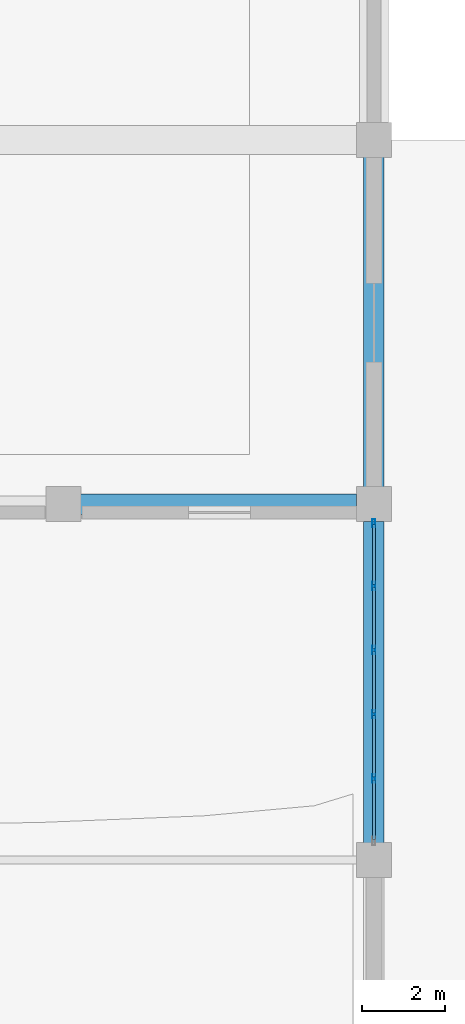
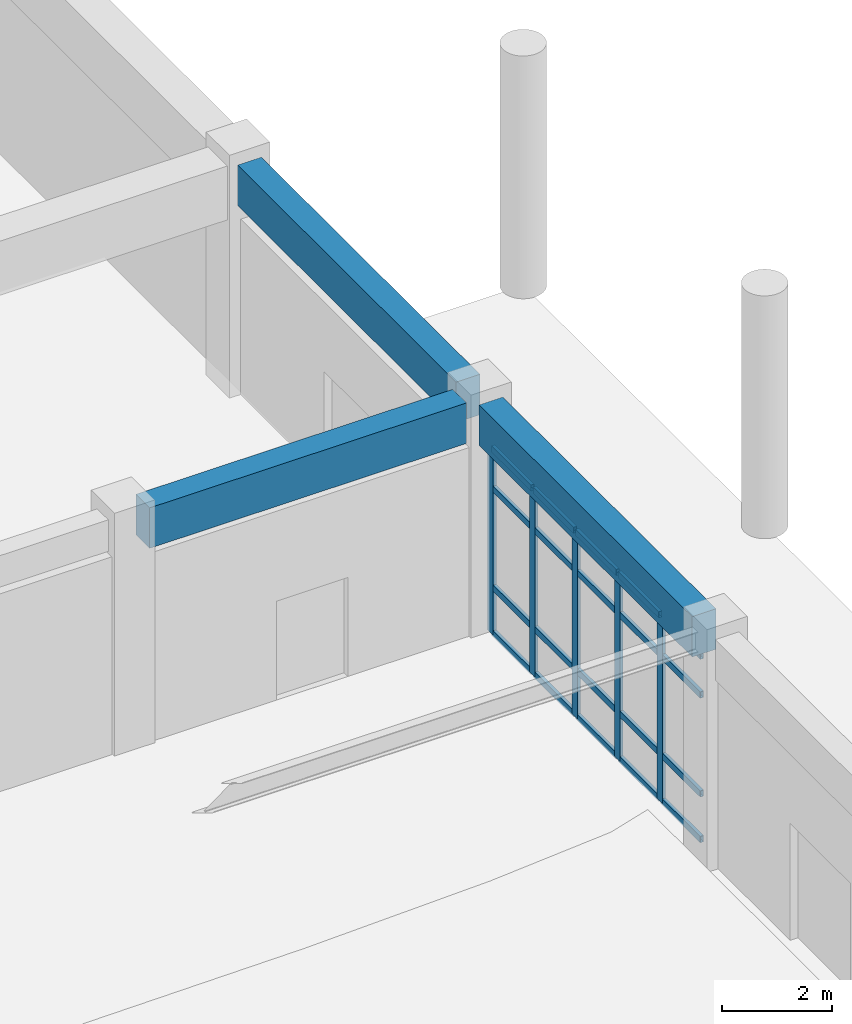
# One storey, part 50 of 84: 25 members, 3 beams, 1 element without a shape of its own.
"""IFC4 building model written with IfcOpenShell, lengths in metres."""

from ifc_helpers import new_model, si_unit, direction, frame, origin, origin_2d, place, context, subcontext, project, spatial, rectangle, hollow_rectangle, extrude, material, layer, layer_set, material_profile, profile_set, type_object, element, aggregate, save


model = new_model("IFC4")

# Units and contexts
model_context = context("Model", 3, precision=1e-05, world=origin(), true_north=direction((0.0, 1.0)))
body_context = subcontext(model_context, "Body", "Model", "MODEL_VIEW")
ifc_project = project(units=[si_unit("LENGTHUNIT", "METRE"), si_unit("AREAUNIT", "SQUARE_METRE"), si_unit("VOLUMEUNIT", "CUBIC_METRE"), si_unit("PLANEANGLEUNIT", "RADIAN"), si_unit("MASSUNIT", "GRAM", prefix="KILO")], contexts=[model_context])

# Site, building, storey
site_placement = place(None, origin())
site = spatial("IfcSite", under=ifc_project, at=site_placement, CompositionType="ELEMENT")
building_placement = place(site_placement, origin())
building = spatial("IfcBuilding", under=site, at=building_placement, Name="Muzn Square Opera House", CompositionType="ELEMENT")
storey_placement = place(building_placement, origin())
storey = spatial("IfcBuildingStorey", under=building, at=storey_placement, Name="L00", CompositionType="ELEMENT", Elevation=0.0)

# Curtain wall, members
ifc_material_1 = material(Name="Low-E laminated acoustic double glazing", Category="glass")
ifc_layer = layer(ifc_material_1, 0.159912109375, Name="Low-E laminated acoustic double glazing", Category="glass")
ifc_layer_set = layer_set([ifc_layer], Name="Low-E laminated acoustic double glazing")
curtain_wall_type = type_object("IfcCurtainWallType", Name="Glazed Curtain Wall EastBlvd 7750x4150", PredefinedType="USERDEFINED", material=ifc_layer_set)
curtain_wall_placement = place(storey_placement, origin())
curtain_wall = element("IfcCurtainWall", 1, at=curtain_wall_placement, inside=storey, type_object=curtain_wall_type, Name="Glazed Curtain Wall CW-L00-111", ObjectType="GLAZED CURTAIN WALL", PredefinedType="USERDEFINED")
ifc_material_2 = material(Name="Anodised bronze aluminium 6063-T6", Category="metal")
ifc_material_profile_1 = material_profile(ifc_material_2, hollow_rectangle(XDim=0.070068359375, YDim=0.199951171875, WallThickness=0.0048828125, at=origin_2d()), Name="ALU 200x70x5", Category="metal")
ifc_profile_set_1 = profile_set([ifc_material_profile_1], Name="Anodised bronze aluminium 6063-T6")
member_type_1 = type_object("IfcMemberType", Name="Curtain Wall Mullion 200x70", PredefinedType="MULLION", material=ifc_profile_set_1)
member_1_placement = place(storey_placement, frame((170.0, 83.175048828125, 0.0), z_axis=(0.0, 0.0, 1.0), x_axis=(-1.0, 0.0, 0.0)))
member_1 = element("IfcMember", 2, at=member_1_placement, type_object=member_type_1, Name="CW-EBL-77x41 mullion 2", PredefinedType="MULLION", context=body_context, shape_type="SweptSolid", body=[
    extrude(hollow_rectangle(XDim=0.070068359375, YDim=0.199951171875, WallThickness=0.0048828125, at=origin_2d()), origin(), (0.0, 0.0, 1.0), 4.14990234375),
])
member_2_placement = place(storey_placement, frame((170.0, 84.72509765625, 0.0), z_axis=(0.0, 0.0, 1.0), x_axis=(-1.0, 0.0, 0.0)))
member_2 = element("IfcMember", 3, at=member_2_placement, type_object=member_type_1, Name="CW-EBL-77x41 mullion 3", PredefinedType="MULLION", context=body_context, shape_type="SweptSolid", body=[
    extrude(hollow_rectangle(XDim=0.070068359375, YDim=0.199951171875, WallThickness=0.0048828125, at=origin_2d()), origin(), (0.0, 0.0, 1.0), 4.14990234375),
])
member_3_placement = place(storey_placement, frame((170.0, 86.27490234375, 0.0), z_axis=(0.0, 0.0, 1.0), x_axis=(-1.0, 0.0, 0.0)))
member_3 = element("IfcMember", 4, at=member_3_placement, type_object=member_type_1, Name="CW-EBL-77x41 mullion 4", PredefinedType="MULLION", context=body_context, shape_type="SweptSolid", body=[
    extrude(hollow_rectangle(XDim=0.070068359375, YDim=0.199951171875, WallThickness=0.0048828125, at=origin_2d()), origin(), (0.0, 0.0, 1.0), 4.14990234375),
])
member_4_placement = place(storey_placement, frame((170.0, 87.824951171875, 0.0), z_axis=(0.0, 0.0, 1.0), x_axis=(-1.0, 0.0, 0.0)))
member_4 = element("IfcMember", 5, at=member_4_placement, type_object=member_type_1, Name="CW-EBL-77x41 mullion 5", PredefinedType="MULLION", context=body_context, shape_type="SweptSolid", body=[
    extrude(hollow_rectangle(XDim=0.070068359375, YDim=0.199951171875, WallThickness=0.0048828125, at=origin_2d()), origin(), (0.0, 0.0, 1.0), 4.14990234375),
])
member_5_placement = place(storey_placement, frame((170.0, 89.340087890625, 0.0), z_axis=(0.0, 0.0, 1.0), x_axis=(-1.0, 0.0, 0.0)))
member_5 = element("IfcMember", 6, at=member_5_placement, type_object=member_type_1, Name="CW-EBL-77x41 mullion 6", PredefinedType="MULLION", context=body_context, shape_type="SweptSolid", body=[
    extrude(hollow_rectangle(XDim=0.070068359375, YDim=0.199951171875, WallThickness=0.0048828125, at=origin_2d()), origin(), (0.0, 0.0, 1.0), 4.14990234375),
])
ifc_material_profile_2 = material_profile(ifc_material_2, hollow_rectangle(XDim=0.070068359375, YDim=0.139892578125, WallThickness=0.00390625, at=origin_2d()), Name="ALU 140x70x4", Category="metal")
ifc_profile_set_2 = profile_set([ifc_material_profile_2], Name="Anodised bronze aluminium 6063-T6")
member_type_2 = type_object("IfcMemberType", Name="Curtain Wall Transom 140x70", PredefinedType="USERDEFINED", material=ifc_profile_set_2)
member_6_placement = place(storey_placement, frame((170.0, 81.695068359375, 0.034912109375), z_axis=(0.0, 1.0, 0.0), x_axis=(-1.0, 0.0, 0.0)))
member_6 = element("IfcMember", 7, at=member_6_placement, type_object=member_type_2, Name="CW-EBL-77x41 transom 1.1", ObjectType="TRANSOM", PredefinedType="USERDEFINED", context=body_context, shape_type="SweptSolid", body=[
    extrude(hollow_rectangle(XDim=0.070068359375, YDim=0.139892578125, WallThickness=0.00390625, at=origin_2d()), origin(), (0.0, 0.0, 1.0), 1.44482421875),
])
member_7_placement = place(storey_placement, frame((170.0, 81.695068359375, 1.050048828125), z_axis=(0.0, 1.0, 0.0), x_axis=(-1.0, 0.0, 0.0)))
member_7 = element("IfcMember", 8, at=member_7_placement, type_object=member_type_2, Name="CW-EBL-77x41 transom 1.2", ObjectType="TRANSOM", PredefinedType="USERDEFINED", context=body_context, shape_type="SweptSolid", body=[
    extrude(hollow_rectangle(XDim=0.070068359375, YDim=0.139892578125, WallThickness=0.00390625, at=origin_2d()), origin(), (0.0, 0.0, 1.0), 1.44482421875),
])
member_8_placement = place(storey_placement, frame((170.0, 81.695068359375, 3.25), z_axis=(0.0, 1.0, 0.0), x_axis=(-1.0, 0.0, 0.0)))
member_8 = element("IfcMember", 9, at=member_8_placement, type_object=member_type_2, Name="CW-EBL-77x41 transom 1.3", ObjectType="TRANSOM", PredefinedType="USERDEFINED", context=body_context, shape_type="SweptSolid", body=[
    extrude(hollow_rectangle(XDim=0.070068359375, YDim=0.139892578125, WallThickness=0.00390625, at=origin_2d()), origin(), (0.0, 0.0, 1.0), 1.44482421875),
])
member_9_placement = place(storey_placement, frame((170.0, 81.695068359375, 4.114990234375), z_axis=(0.0, 1.0, 0.0), x_axis=(-1.0, 0.0, 0.0)))
member_9 = element("IfcMember", 10, at=member_9_placement, type_object=member_type_2, Name="CW-EBL-77x41 transom 1.4", ObjectType="TRANSOM", PredefinedType="USERDEFINED", context=body_context, shape_type="SweptSolid", body=[
    extrude(hollow_rectangle(XDim=0.070068359375, YDim=0.139892578125, WallThickness=0.00390625, at=origin_2d()), origin(), (0.0, 0.0, 1.0), 1.44482421875),
])
member_10_placement = place(storey_placement, frame((170.0, 83.2099609375, 0.034912109375), z_axis=(0.0, 1.0, 0.0), x_axis=(-1.0, 0.0, 0.0)))
member_10 = element("IfcMember", 11, at=member_10_placement, type_object=member_type_2, Name="CW-EBL-77x41 transom 2.1", ObjectType="TRANSOM", PredefinedType="USERDEFINED", context=body_context, shape_type="SweptSolid", body=[
    extrude(hollow_rectangle(XDim=0.070068359375, YDim=0.139892578125, WallThickness=0.00390625, at=origin_2d()), origin(), (0.0, 0.0, 1.0), 1.47998046875),
])
member_11_placement = place(storey_placement, frame((170.0, 83.2099609375, 1.050048828125), z_axis=(0.0, 1.0, 0.0), x_axis=(-1.0, 0.0, 0.0)))
member_11 = element("IfcMember", 12, at=member_11_placement, type_object=member_type_2, Name="CW-EBL-77x41 transom 2.2", ObjectType="TRANSOM", PredefinedType="USERDEFINED", context=body_context, shape_type="SweptSolid", body=[
    extrude(hollow_rectangle(XDim=0.070068359375, YDim=0.139892578125, WallThickness=0.00390625, at=origin_2d()), origin(), (0.0, 0.0, 1.0), 1.47998046875),
])
member_12_placement = place(storey_placement, frame((170.0, 83.2099609375, 3.25), z_axis=(0.0, 1.0, 0.0), x_axis=(-1.0, 0.0, 0.0)))
member_12 = element("IfcMember", 13, at=member_12_placement, type_object=member_type_2, Name="CW-EBL-77x41 transom 2.3", ObjectType="TRANSOM", PredefinedType="USERDEFINED", context=body_context, shape_type="SweptSolid", body=[
    extrude(hollow_rectangle(XDim=0.070068359375, YDim=0.139892578125, WallThickness=0.00390625, at=origin_2d()), origin(), (0.0, 0.0, 1.0), 1.47998046875),
])
member_13_placement = place(storey_placement, frame((170.0, 83.2099609375, 4.114990234375), z_axis=(0.0, 1.0, 0.0), x_axis=(-1.0, 0.0, 0.0)))
member_13 = element("IfcMember", 14, at=member_13_placement, type_object=member_type_2, Name="CW-EBL-77x41 transom 2.4", ObjectType="TRANSOM", PredefinedType="USERDEFINED", context=body_context, shape_type="SweptSolid", body=[
    extrude(hollow_rectangle(XDim=0.070068359375, YDim=0.139892578125, WallThickness=0.00390625, at=origin_2d()), origin(), (0.0, 0.0, 1.0), 1.47998046875),
])
member_14_placement = place(storey_placement, frame((170.0, 84.760009765625, 0.034912109375), z_axis=(0.0, 1.0, 0.0), x_axis=(-1.0, 0.0, 0.0)))
member_14 = element("IfcMember", 15, at=member_14_placement, type_object=member_type_2, Name="CW-EBL-77x41 transom 3.1", ObjectType="TRANSOM", PredefinedType="USERDEFINED", context=body_context, shape_type="SweptSolid", body=[
    extrude(hollow_rectangle(XDim=0.070068359375, YDim=0.139892578125, WallThickness=0.00390625, at=origin_2d()), origin(), (0.0, 0.0, 1.0), 1.47998046875),
])
member_15_placement = place(storey_placement, frame((170.0, 84.760009765625, 1.050048828125), z_axis=(0.0, 1.0, 0.0), x_axis=(-1.0, 0.0, 0.0)))
member_15 = element("IfcMember", 16, at=member_15_placement, type_object=member_type_2, Name="CW-EBL-77x41 transom 3.2", ObjectType="TRANSOM", PredefinedType="USERDEFINED", context=body_context, shape_type="SweptSolid", body=[
    extrude(hollow_rectangle(XDim=0.070068359375, YDim=0.139892578125, WallThickness=0.00390625, at=origin_2d()), origin(), (0.0, 0.0, 1.0), 1.47998046875),
])
member_16_placement = place(storey_placement, frame((170.0, 84.760009765625, 3.25), z_axis=(0.0, 1.0, 0.0), x_axis=(-1.0, 0.0, 0.0)))
member_16 = element("IfcMember", 17, at=member_16_placement, type_object=member_type_2, Name="CW-EBL-77x41 transom 3.3", ObjectType="TRANSOM", PredefinedType="USERDEFINED", context=body_context, shape_type="SweptSolid", body=[
    extrude(hollow_rectangle(XDim=0.070068359375, YDim=0.139892578125, WallThickness=0.00390625, at=origin_2d()), origin(), (0.0, 0.0, 1.0), 1.47998046875),
])
member_17_placement = place(storey_placement, frame((170.0, 84.760009765625, 4.114990234375), z_axis=(0.0, 1.0, 0.0), x_axis=(-1.0, 0.0, 0.0)))
member_17 = element("IfcMember", 18, at=member_17_placement, type_object=member_type_2, Name="CW-EBL-77x41 transom 3.4", ObjectType="TRANSOM", PredefinedType="USERDEFINED", context=body_context, shape_type="SweptSolid", body=[
    extrude(hollow_rectangle(XDim=0.070068359375, YDim=0.139892578125, WallThickness=0.00390625, at=origin_2d()), origin(), (0.0, 0.0, 1.0), 1.47998046875),
])
member_18_placement = place(storey_placement, frame((170.0, 86.31005859375, 0.034912109375), z_axis=(0.0, 1.0, 0.0), x_axis=(-1.0, 0.0, 0.0)))
member_18 = element("IfcMember", 19, at=member_18_placement, type_object=member_type_2, Name="CW-EBL-77x41 transom 4.1", ObjectType="TRANSOM", PredefinedType="USERDEFINED", context=body_context, shape_type="SweptSolid", body=[
    extrude(hollow_rectangle(XDim=0.070068359375, YDim=0.139892578125, WallThickness=0.00390625, at=origin_2d()), origin(), (0.0, 0.0, 1.0), 1.47998046875),
])
member_19_placement = place(storey_placement, frame((170.0, 86.31005859375, 1.050048828125), z_axis=(0.0, 1.0, 0.0), x_axis=(-1.0, 0.0, 0.0)))
member_19 = element("IfcMember", 20, at=member_19_placement, type_object=member_type_2, Name="CW-EBL-77x41 transom 4.2", ObjectType="TRANSOM", PredefinedType="USERDEFINED", context=body_context, shape_type="SweptSolid", body=[
    extrude(hollow_rectangle(XDim=0.070068359375, YDim=0.139892578125, WallThickness=0.00390625, at=origin_2d()), origin(), (0.0, 0.0, 1.0), 1.47998046875),
])
member_20_placement = place(storey_placement, frame((170.0, 86.31005859375, 3.25), z_axis=(0.0, 1.0, 0.0), x_axis=(-1.0, 0.0, 0.0)))
member_20 = element("IfcMember", 21, at=member_20_placement, type_object=member_type_2, Name="CW-EBL-77x41 transom 4.3", ObjectType="TRANSOM", PredefinedType="USERDEFINED", context=body_context, shape_type="SweptSolid", body=[
    extrude(hollow_rectangle(XDim=0.070068359375, YDim=0.139892578125, WallThickness=0.00390625, at=origin_2d()), origin(), (0.0, 0.0, 1.0), 1.47998046875),
])
member_21_placement = place(storey_placement, frame((170.0, 86.31005859375, 4.114990234375), z_axis=(0.0, 1.0, 0.0), x_axis=(-1.0, 0.0, 0.0)))
member_21 = element("IfcMember", 22, at=member_21_placement, type_object=member_type_2, Name="CW-EBL-77x41 transom 4.4", ObjectType="TRANSOM", PredefinedType="USERDEFINED", context=body_context, shape_type="SweptSolid", body=[
    extrude(hollow_rectangle(XDim=0.070068359375, YDim=0.139892578125, WallThickness=0.00390625, at=origin_2d()), origin(), (0.0, 0.0, 1.0), 1.47998046875),
])
member_22_placement = place(storey_placement, frame((170.0, 87.860107421875, 0.034912109375), z_axis=(0.0, 1.0, 0.0), x_axis=(-1.0, 0.0, 0.0)))
member_22 = element("IfcMember", 23, at=member_22_placement, type_object=member_type_2, Name="CW-EBL-77x41 transom 5.1", ObjectType="TRANSOM", PredefinedType="USERDEFINED", context=body_context, shape_type="SweptSolid", body=[
    extrude(hollow_rectangle(XDim=0.070068359375, YDim=0.139892578125, WallThickness=0.00390625, at=origin_2d()), origin(), (0.0, 0.0, 1.0), 1.44482421875),
])
member_23_placement = place(storey_placement, frame((170.0, 87.860107421875, 1.050048828125), z_axis=(0.0, 1.0, 0.0), x_axis=(-1.0, 0.0, 0.0)))
member_23 = element("IfcMember", 24, at=member_23_placement, type_object=member_type_2, Name="CW-EBL-77x41 transom 5.2", ObjectType="TRANSOM", PredefinedType="USERDEFINED", context=body_context, shape_type="SweptSolid", body=[
    extrude(hollow_rectangle(XDim=0.070068359375, YDim=0.139892578125, WallThickness=0.00390625, at=origin_2d()), origin(), (0.0, 0.0, 1.0), 1.44482421875),
])
member_24_placement = place(storey_placement, frame((170.0, 87.860107421875, 3.25), z_axis=(0.0, 1.0, 0.0), x_axis=(-1.0, 0.0, 0.0)))
member_24 = element("IfcMember", 25, at=member_24_placement, type_object=member_type_2, Name="CW-EBL-77x41 transom 5.3", ObjectType="TRANSOM", PredefinedType="USERDEFINED", context=body_context, shape_type="SweptSolid", body=[
    extrude(hollow_rectangle(XDim=0.070068359375, YDim=0.139892578125, WallThickness=0.00390625, at=origin_2d()), origin(), (0.0, 0.0, 1.0), 1.44482421875),
])
member_25_placement = place(storey_placement, frame((170.0, 87.860107421875, 4.114990234375), z_axis=(0.0, 1.0, 0.0), x_axis=(-1.0, 0.0, 0.0)))
member_25 = element("IfcMember", 26, at=member_25_placement, type_object=member_type_2, Name="CW-EBL-77x41 transom 5.4", ObjectType="TRANSOM", PredefinedType="USERDEFINED", context=body_context, shape_type="SweptSolid", body=[
    extrude(hollow_rectangle(XDim=0.070068359375, YDim=0.139892578125, WallThickness=0.00390625, at=origin_2d()), origin(), (0.0, 0.0, 1.0), 1.44482421875),
])
aggregate(curtain_wall, [member_1, member_2, member_3, member_4, member_5, member_6, member_7, member_8, member_9, member_10, member_11, member_12, member_13, member_14, member_15, member_16, member_17, member_18, member_19, member_20, member_21, member_22, member_23, member_24, member_25])

# Beams
ifc_material_3 = material(Name="Concrete C40/50", Category="concrete")
ifc_material_profile_3 = material_profile(ifc_material_3, rectangle(XDim=0.5, YDim=0.89990234375, at=origin_2d()), Name="RCB 500x900", Category="concrete")
ifc_profile_set_3 = profile_set([ifc_material_profile_3], Name="Concrete C40/50")
beam_type = type_object("IfcBeamType", Name="Primary Girder 500x900", PredefinedType="BEAM", material=ifc_profile_set_3)
beam_1_placement = place(storey_placement, frame((162.9169921875, 89.800048828125, 4.669921875), z_axis=(1.0, 0.0, 0.0), x_axis=(0.0, 1.0, 0.0)))
element("IfcBeam", 27, at=beam_1_placement, inside=storey, type_object=beam_type, Name="Primary Girder BM-L00-BM-PG900-1629_898_1696_898-924", PredefinedType="BEAM", context=body_context, shape_type="SweptSolid", body=[
    extrude(rectangle(XDim=0.5, YDim=0.89990234375, at=origin_2d()), origin(), (0.0, 0.0, 1.0), 6.666015625),
])
beam_2_placement = place(storey_placement, frame((170.0, 81.616943359375, 4.669921875), z_axis=(0.0, 1.0, 0.0), x_axis=(-1.0, 0.0, 0.0)))
element("IfcBeam", 28, at=beam_2_placement, inside=storey, type_object=beam_type, Name="Primary Girder BM-L00-BM-PG900-1700_816_1700_894-1180", PredefinedType="BEAM", context=body_context, shape_type="SweptSolid", body=[
    extrude(rectangle(XDim=0.5, YDim=0.89990234375, at=origin_2d()), origin(), (0.0, 0.0, 1.0), 7.76611328125),
])
beam_3_placement = place(storey_placement, frame((170.0, 90.217041015625, 4.669921875), z_axis=(0.0, 1.0, 0.0), x_axis=(-1.0, 0.0, 0.0)))
element("IfcBeam", 29, at=beam_3_placement, inside=storey, type_object=beam_type, Name="Primary Girder BM-L00-BM-PG900-1700_902_1700_982-1181", PredefinedType="BEAM", context=body_context, shape_type="SweptSolid", body=[
    extrude(rectangle(XDim=0.5, YDim=0.89990234375, at=origin_2d()), origin(), (0.0, 0.0, 1.0), 7.966064453125),
])

save(model, "model.ifc")
